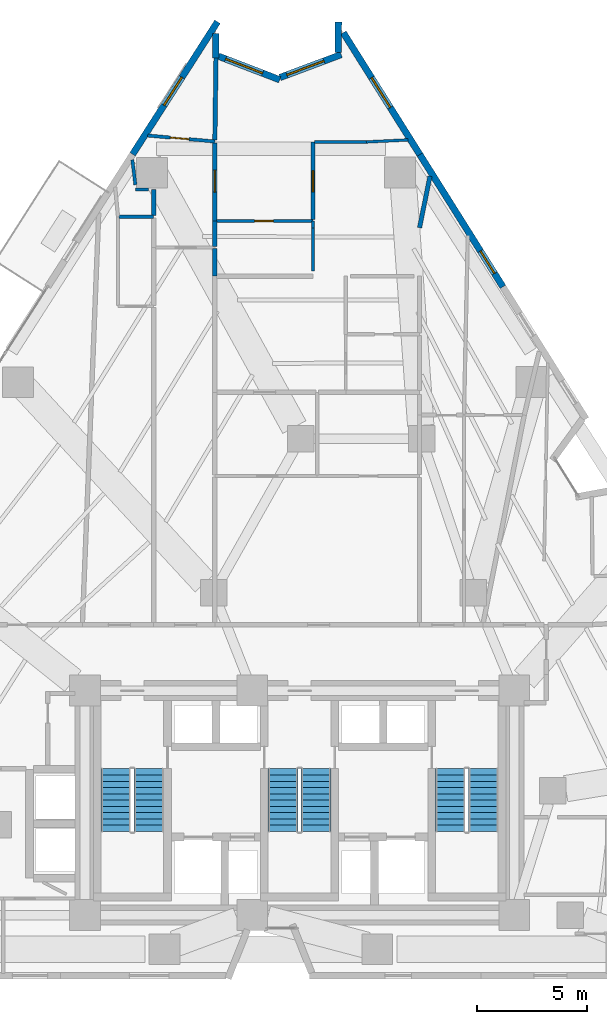
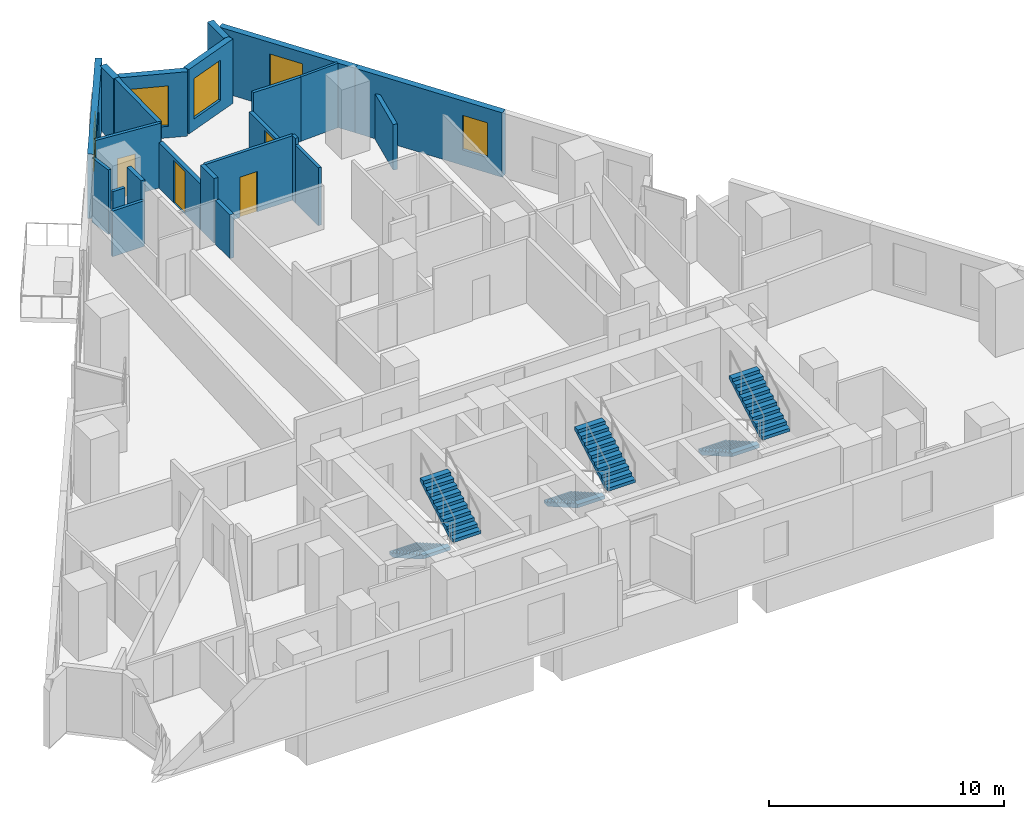
# One storey, part 11 of 13: 23 walls, 6 stair flights, 5 windows, 4 doors, 9 openings, 3 elements without a shape of their own.
"""IFC4 building model written with IfcOpenShell, lengths in metres."""

from ifc_helpers import new_model, si_unit, direction, frame, frame_2d, origin, place, context, subcontext, project, spatial, polyline, rectangle, outline, extrude, material, layer, layer_set, type_object, element, fill, aggregate, save


model = new_model("IFC4")

# Units and contexts
model_context = context("Model", 3, precision=1e-05, world=origin(), true_north=direction((0.0, 1.0)))
body_context = subcontext(model_context, "Body", "Model", "MODEL_VIEW")
ifc_project = project(units=[si_unit("LENGTHUNIT", "METRE"), si_unit("AREAUNIT", "SQUARE_METRE"), si_unit("VOLUMEUNIT", "CUBIC_METRE"), si_unit("PLANEANGLEUNIT", "RADIAN"), si_unit("MASSUNIT", "GRAM", prefix="KILO")], contexts=[model_context])

# Site, building, storey
site_placement = place(None, origin())
site = spatial("IfcSite", under=ifc_project, at=site_placement, CompositionType="ELEMENT")
building_placement = place(site_placement, origin())
building = spatial("IfcBuilding", under=site, at=building_placement, Name="Almagre Mirador Tower", CompositionType="ELEMENT")
storey_placement = place(building_placement, frame((0.0, 0.0, 53.39990234375)))
storey = spatial("IfcBuildingStorey", under=building, at=storey_placement, Name="L12", CompositionType="ELEMENT", Elevation=53.39990234375)

# Wall, opening, window
ifc_material_1 = material(Name="Precast concrete C50/60", Category="concrete")
ifc_layer_1 = layer(ifc_material_1, 0.300048828125)
ifc_layer_set_1 = layer_set([ifc_layer_1], Name="Precast concrete C50/60")
wall_type_1 = type_object("IfcWallType", Name="WAL-EXT-300", PredefinedType="SOLIDWALL", material=ifc_layer_set_1)
wall_1_placement = place(storey_placement, frame((29.71337890625, 39.12060546875, 0.0), z_axis=(0.0, 0.0, 1.0), x_axis=(0.539533296006, 0.841964264385, 0.0)))
wall_1 = element("IfcWall", 1, at=wall_1_placement, inside=storey, type_object=wall_type_1, Name="L12 expressed almagre precast frame wall 04", PredefinedType="SOLIDWALL", context=body_context, shape_type="SweptSolid", body=[
    extrude(rectangle(XDim=7.149169921875, YDim=0.300048828125, at=frame_2d((3.57470703125, 0.0))), origin(), (0.0, 0.0, 1.0), 3.35009765625),
])
opening_1_placement = place(wall_1_placement, frame((2.64990234375, 0.0, 0.60009765625)))
opening_1 = element("IfcOpeningElement", 2, at=opening_1_placement, cuts=wall_1, Name="Opening WN-03", PredefinedType="OPENING", context=body_context, shape_type="SweptSolid", body=[
    extrude(rectangle(XDim=1.5, YDim=2.10009765625, at=frame_2d((0.75, 1.050048828125))), frame((0.0, 0.159902, 0.0), z_axis=(0.0, -1.0, 0.0), x_axis=(1.0, 0.0, 0.0)), (0.0, 0.0, 1.0), 0.320049),
])
ifc_material_2 = material(Name="Dark solar-control laminated hurricane glass", Category="glass")
window_type_1 = type_object("IfcWindowType", Name="WIN-1500X2100", PartitioningType="DOUBLE_PANEL_VERTICAL", PredefinedType="WINDOW", material=ifc_material_2)
window_1_placement = place(opening_1_placement, origin())
window_1 = element("IfcWindow", 3, at=window_1_placement, inside=storey, type_object=window_type_1, Name="L12 recessed hurricane window L12-UL-BT", OverallHeight=2.10009765625, OverallWidth=1.5, PartitioningType="SINGLE_PANEL", PredefinedType="WINDOW", context=body_context, shape_type="SweptSolid", body=[
    extrude(rectangle(XDim=1.5, YDim=2.10009765625, at=frame_2d((0.75, 1.050048828125))), frame((0.0, 0.030029296875, 0.0), z_axis=(0.0, -1.0, 0.0), x_axis=(1.0, 0.0, 0.0)), (0.0, 0.0, 1.0), 0.06005859375),
])
fill(opening_1, window_1)

# Wall
wall_2_placement = place(storey_placement, frame((33.492919921875, 44.612060546875, 0.0), z_axis=(0.0, 0.0, 1.0), x_axis=(-0.004991257271, -0.999987543598, 0.0)))
element("IfcWall", 4, at=wall_2_placement, inside=storey, type_object=wall_type_1, Name="L12 expressed almagre precast frame wall 05", PredefinedType="SOLIDWALL", context=body_context, shape_type="SweptSolid", body=[
    extrude(rectangle(XDim=1.125, YDim=0.300048828125, at=frame_2d((0.5625, 0.0))), origin(), (0.0, 0.0, 1.0), 3.35009765625),
])

# Wall, opening, window
wall_3_placement = place(storey_placement, frame((33.614013671875, 43.57861328125, 0.0), z_axis=(0.0, 0.0, 1.0), x_axis=(0.933166321884, -0.359444871576, 0.0)))
wall_3 = element("IfcWall", 5, at=wall_3_placement, inside=storey, type_object=wall_type_1, Name="L12 expressed almagre precast frame wall 06", PredefinedType="SOLIDWALL", context=body_context, shape_type="SweptSolid", body=[
    extrude(rectangle(XDim=2.985107421875, YDim=0.300048828125, at=frame_2d((1.49267578125, 0.0))), origin(), (0.0, 0.0, 1.0), 3.35009765625),
])
opening_2_placement = place(wall_3_placement, frame((0.35009765625, 0.0, 0.60009765625)))
opening_2 = element("IfcOpeningElement", 6, at=opening_2_placement, cuts=wall_3, Name="Opening WN-01", PredefinedType="OPENING", context=body_context, shape_type="SweptSolid", body=[
    extrude(rectangle(XDim=1.800048828125, YDim=2.10009765625, at=frame_2d((0.89990234375, 1.050048828125))), frame((0.0, 0.159902, 0.0), z_axis=(0.0, -1.0, 0.0), x_axis=(1.0, 0.0, 0.0)), (0.0, 0.0, 1.0), 0.320049),
])
ifc_material_3 = material(Name="Dark solar-control laminated hurricane glass", Category="glass")
window_type_2 = type_object("IfcWindowType", Name="WIN-1800X2100", PartitioningType="DOUBLE_PANEL_VERTICAL", PredefinedType="WINDOW", material=ifc_material_3)
window_2_placement = place(opening_2_placement, origin())
window_2 = element("IfcWindow", 7, at=window_2_placement, inside=storey, type_object=window_type_2, Name="L12 recessed hurricane window L12-UP-ST", OverallHeight=2.10009765625, OverallWidth=1.800048828125, PartitioningType="SINGLE_PANEL", PredefinedType="WINDOW", context=body_context, shape_type="SweptSolid", body=[
    extrude(rectangle(XDim=1.800048828125, YDim=2.10009765625, at=frame_2d((0.89990234375, 1.050048828125))), frame((0.0, 0.030029296875, 0.0), z_axis=(0.0, -1.0, 0.0), x_axis=(1.0, 0.0, 0.0)), (0.0, 0.0, 1.0), 0.06005859375),
])
fill(opening_2, window_2)

wall_4_placement = place(storey_placement, frame((36.409423828125, 42.608642578125, 0.0), z_axis=(0.0, 0.0, 1.0), x_axis=(0.936403459864, 0.350925291699, 0.0)))
wall_4 = element("IfcWall", 8, at=wall_4_placement, inside=storey, type_object=wall_type_1, Name="L12 expressed almagre precast frame wall 07", PredefinedType="SOLIDWALL", context=body_context, shape_type="SweptSolid", body=[
    extrude(rectangle(XDim=2.970703125, YDim=0.300048828125, at=frame_2d((1.4853515625, 0.0))), origin(), (0.0, 0.0, 1.0), 3.35009765625),
])
opening_3_placement = place(wall_4_placement, frame((0.3349609375, 0.0, 0.60009765625)))
opening_3 = element("IfcOpeningElement", 9, at=opening_3_placement, cuts=wall_4, Name="Opening WN-01", PredefinedType="OPENING", context=body_context, shape_type="SweptSolid", body=[
    extrude(rectangle(XDim=1.800048828125, YDim=2.10009765625, at=frame_2d((0.89990234375, 1.050048828125))), frame((0.0, 0.159902, 0.0), z_axis=(0.0, -1.0, 0.0), x_axis=(1.0, 0.0, 0.0)), (0.0, 0.0, 1.0), 0.320049),
])
window_3_placement = place(opening_3_placement, origin())
window_3 = element("IfcWindow", 10, at=window_3_placement, inside=storey, type_object=window_type_2, Name="L12 recessed hurricane window L12-UP-ST", OverallHeight=2.10009765625, OverallWidth=1.800048828125, PartitioningType="SINGLE_PANEL", PredefinedType="WINDOW", context=body_context, shape_type="SweptSolid", body=[
    extrude(rectangle(XDim=1.800048828125, YDim=2.10009765625, at=frame_2d((0.89990234375, 1.050048828125))), frame((0.0, 0.030029296875, 0.0), z_axis=(0.0, -1.0, 0.0), x_axis=(1.0, 0.0, 0.0)), (0.0, 0.0, 1.0), 0.06005859375),
])
fill(opening_3, window_3)

# Wall
wall_5_placement = place(storey_placement, frame((39.060546875, 43.737060546875, 0.0), z_axis=(0.0, 0.0, 1.0), x_axis=(0.004359916705, 0.999990495518, 0.0)))
element("IfcWall", 11, at=wall_5_placement, inside=storey, type_object=wall_type_1, Name="L12 expressed almagre precast frame wall 08", PredefinedType="SOLIDWALL", context=body_context, shape_type="SweptSolid", body=[
    extrude(rectangle(XDim=1.39990234375, YDim=0.300048828125, at=frame_2d((0.699951171875, 0.0))), origin(), (0.0, 0.0, 1.0), 3.35009765625),
])

# Wall, opening, window
wall_6_placement = place(storey_placement, frame((39.28662109375, 44.6455078125, 0.0), z_axis=(0.0, 0.0, 1.0), x_axis=(0.531900124003, -0.846807096147, 0.0)))
wall_6 = element("IfcWall", 12, at=wall_6_placement, inside=storey, type_object=wall_type_1, Name="L12 expressed almagre precast frame wall 09", PredefinedType="SOLIDWALL", context=body_context, shape_type="SweptSolid", body=[
    extrude(rectangle(XDim=6.540283203125, YDim=0.300048828125, at=frame_2d((3.27001953125, 0.0))), origin(), (0.0, 0.0, 1.0), 3.35009765625),
])
opening_4_placement = place(wall_6_placement, frame((2.419921875, 0.0, 0.550048828125)))
opening_4 = element("IfcOpeningElement", 13, at=opening_4_placement, cuts=wall_6, Name="Opening WN-06", PredefinedType="OPENING", context=body_context, shape_type="SweptSolid", body=[
    extrude(rectangle(XDim=1.60009765625, YDim=2.199951171875, at=frame_2d((0.800048828125, 1.10009765625))), frame((0.0, 0.159902, 0.0), z_axis=(0.0, -1.0, 0.0), x_axis=(1.0, 0.0, 0.0)), (0.0, 0.0, 1.0), 0.320049),
])
ifc_material_4 = material(Name="Dark solar-control laminated hurricane glass", Category="glass")
window_type_3 = type_object("IfcWindowType", Name="WIN-1600X2200", PartitioningType="DOUBLE_PANEL_VERTICAL", PredefinedType="WINDOW", material=ifc_material_4)
window_4_placement = place(opening_4_placement, origin())
window_4 = element("IfcWindow", 14, at=window_4_placement, inside=storey, type_object=window_type_3, Name="L12 recessed hurricane window L12-UP-ST", OverallHeight=2.199951171875, OverallWidth=1.60009765625, PartitioningType="SINGLE_PANEL", PredefinedType="WINDOW", context=body_context, shape_type="SweptSolid", body=[
    extrude(rectangle(XDim=1.60009765625, YDim=2.199951171875, at=frame_2d((0.800048828125, 1.10009765625))), frame((0.0, 0.030029296875, 0.0), z_axis=(0.0, -1.0, 0.0), x_axis=(1.0, 0.0, 0.0)), (0.0, 0.0, 1.0), 0.06005859375),
])
fill(opening_4, window_4)

wall_7_placement = place(storey_placement, frame((42.765380859375, 39.107177734375, 0.0), z_axis=(0.0, 0.0, 1.0), x_axis=(0.531921360547, -0.846793756586, 0.0)))
wall_7 = element("IfcWall", 15, at=wall_7_placement, inside=storey, type_object=wall_type_1, Name="L12 expressed almagre precast frame wall 10", PredefinedType="SOLIDWALL", context=body_context, shape_type="SweptSolid", body=[
    extrude(rectangle(XDim=7.095458984375, YDim=0.300048828125, at=frame_2d((3.5478515625, 0.0))), origin(), (0.0, 0.0, 1.0), 3.35009765625),
])
opening_5_placement = place(wall_7_placement, frame((5.175048828125, 0.0, 0.800048828125)))
opening_5 = element("IfcOpeningElement", 16, at=opening_5_placement, cuts=wall_7, Name="Opening WN-04", PredefinedType="OPENING", context=body_context, shape_type="SweptSolid", body=[
    extrude(rectangle(XDim=1.199951171875, YDim=1.800048828125, at=frame_2d((0.60009765625, 0.89990234375))), frame((0.0, 0.159902, 0.0), z_axis=(0.0, -1.0, 0.0), x_axis=(1.0, 0.0, 0.0)), (0.0, 0.0, 1.0), 0.320049),
])
ifc_material_5 = material(Name="Dark solar-control laminated hurricane glass", Category="glass")
window_type_4 = type_object("IfcWindowType", Name="WIN-1200X1800", PartitioningType="SINGLE_PANEL", PredefinedType="WINDOW", material=ifc_material_5)
window_5_placement = place(opening_5_placement, origin())
window_5 = element("IfcWindow", 17, at=window_5_placement, inside=storey, type_object=window_type_4, Name="L12 recessed hurricane window L12-UN-BT", OverallHeight=1.800048828125, OverallWidth=1.199951171875, PartitioningType="SINGLE_PANEL", PredefinedType="WINDOW", context=body_context, shape_type="SweptSolid", body=[
    extrude(rectangle(XDim=1.199951171875, YDim=1.800048828125, at=frame_2d((0.60009765625, 0.89990234375))), frame((0.0, 0.030029296875, 0.0), z_axis=(0.0, -1.0, 0.0), x_axis=(1.0, 0.0, 0.0)), (0.0, 0.0, 1.0), 0.06005859375),
])
fill(opening_5, window_5)

# Walls
ifc_material_6 = material(Name="Gypsum acoustic stud partition", Category="other")
ifc_layer_2 = layer(ifc_material_6, 0.125)
ifc_layer_set_2 = layer_set([ifc_layer_2], Name="Gypsum acoustic stud partition")
wall_type_2 = type_object("IfcWallType", Name="WAL-PRT-125-UTL", PredefinedType="PARTITIONING", material=ifc_layer_set_2)
wall_8_placement = place(storey_placement, frame((40.330078125, 39.679931640625, 0.0), z_axis=(0.0, 0.0, 1.0), x_axis=(0.998842315683, 0.048104349096, 0.0)))
element("IfcWall", 18, at=wall_8_placement, inside=storey, type_object=wall_type_2, Name="L12 interior partition 098", PredefinedType="PARTITIONING", context=body_context, shape_type="SweptSolid", body=[
    extrude(rectangle(XDim=1.89306640625, YDim=0.125, at=frame_2d((0.946533203125, 0.0))), origin(), (0.0, 0.0, 1.0), 3.35009765625),
])
ifc_material_7 = material(Name="Gypsum acoustic stud partition", Category="other")
ifc_layer_3 = layer(ifc_material_7, 0.14990234375)
ifc_layer_set_3 = layer_set([ifc_layer_3], Name="Gypsum acoustic stud partition")
wall_type_3 = type_object("IfcWallType", Name="WAL-PRT-150-STD", PredefinedType="PARTITIONING", material=ifc_layer_set_3)
wall_9_placement = place(storey_placement, frame((30.669921875, 36.280029296875, 0.0), z_axis=(0.0, 0.0, 1.0), x_axis=(-1.0, 0.0, 0.0)))
element("IfcWall", 19, at=wall_9_placement, inside=storey, type_object=wall_type_3, Name="L12 interior partition 075", PredefinedType="PARTITIONING", context=body_context, shape_type="SweptSolid", body=[
    extrude(rectangle(XDim=1.572509765625, YDim=0.14990234375, at=frame_2d((0.7861328125, 0.0))), origin(), (0.0, 0.0, 1.0), 2.3701171875),
])

# Wall, opening, door
wall_10_placement = place(storey_placement, frame((33.449951171875, 39.699951171875, 0.0), z_axis=(0.0, 0.0, 1.0), x_axis=(-0.996078574379, 0.088473010928, 0.0)))
wall_10 = element("IfcWall", 20, at=wall_10_placement, inside=storey, type_object=wall_type_3, Name="L12 interior partition 082", PredefinedType="PARTITIONING", context=body_context, shape_type="SweptSolid", body=[
    extrude(rectangle(XDim=3.06298828125, YDim=0.14990234375, at=frame_2d((1.531494140625, 0.0))), origin(), (0.0, 0.0, 1.0), 3.35009765625),
])
opening_6_placement = place(wall_10_placement, frame((1.177978515625, 0.0, 0.0)))
opening_6 = element("IfcOpeningElement", 21, at=opening_6_placement, cuts=wall_10, Name="Opening UD-04", PredefinedType="OPENING", context=body_context, shape_type="SweptSolid", body=[
    extrude(rectangle(XDim=0.85009765625, YDim=2.10009765625, at=frame_2d((0.425048828125, 1.050048828125))), frame((0.0, 0.084951, 0.0), z_axis=(0.0, -1.0, 0.0), x_axis=(1.0, 0.0, 0.0)), (0.0, 0.0, 1.0), 0.169902),
])
ifc_material_8 = material(Name="Moisture-resistant oak timber", Category="wood")
door_type_1 = type_object("IfcDoorType", Name="DOR-UNR-850X2100", OperationType="NOTDEFINED", PredefinedType="DOOR", material=ifc_material_8)
door_1_placement = place(opening_6_placement, origin())
door_1 = element("IfcDoor", 22, at=door_1_placement, inside=storey, type_object=door_type_1, Name="DR-0401 L12 interior door L12-UL-KT to L12-UL-BT", OperationType="SINGLE_SWING_RIGHT", OverallHeight=2.10009765625, OverallWidth=0.85009765625, PredefinedType="DOOR", context=body_context, shape_type="SweptSolid", body=[
    extrude(rectangle(XDim=0.85009765625, YDim=2.10009765625, at=frame_2d((0.425048828125, 1.050048828125))), frame((0.0, 0.02490234375, 0.0), z_axis=(0.0, -1.0, 0.0), x_axis=(1.0, 0.0, 0.0)), (0.0, 0.0, 1.0), 0.050048828125),
])
fill(opening_6, door_1)

wall_11_placement = place(storey_placement, frame((33.534912109375, 36.090087890625, 0.0), z_axis=(0.0, 0.0, 1.0), x_axis=(1.0, 0.0, 0.0)))
wall_11 = element("IfcWall", 23, at=wall_11_placement, inside=storey, type_object=wall_type_3, Name="L12 interior partition 097", PredefinedType="PARTITIONING", context=body_context, shape_type="SweptSolid", body=[
    extrude(rectangle(XDim=4.375, YDim=0.14990234375, at=frame_2d((2.1875, 0.0))), origin(), (0.0, 0.0, 1.0), 3.35009765625),
])
opening_7_placement = place(wall_11_placement, frame((1.719970703125, 0.0, 0.0)))
opening_7 = element("IfcOpeningElement", 24, at=opening_7_placement, cuts=wall_11, Name="Opening UD-04", PredefinedType="OPENING", context=body_context, shape_type="SweptSolid", body=[
    extrude(rectangle(XDim=0.85009765625, YDim=2.10009765625, at=frame_2d((0.425048828125, 1.050048828125))), frame((0.0, 0.084951, 0.0), z_axis=(0.0, -1.0, 0.0), x_axis=(1.0, 0.0, 0.0)), (0.0, 0.0, 1.0), 0.169902),
])
door_2_placement = place(opening_7_placement, origin())
door_2 = element("IfcDoor", 25, at=door_2_placement, inside=storey, type_object=door_type_1, Name="DR-0409 L12 interior door L12-UP-ST to L12-UP-HB", OperationType="SINGLE_SWING_LEFT", OverallHeight=2.10009765625, OverallWidth=0.85009765625, PredefinedType="DOOR", context=body_context, shape_type="SweptSolid", body=[
    extrude(rectangle(XDim=0.85009765625, YDim=2.10009765625, at=frame_2d((0.425048828125, 1.050048828125))), frame((0.0, 0.02490234375, 0.0), z_axis=(0.0, -1.0, 0.0), x_axis=(1.0, 0.0, 0.0)), (0.0, 0.0, 1.0), 0.050048828125),
])
fill(opening_7, door_2)

# Walls
wall_12_placement = place(storey_placement, frame((37.982421875, 39.679931640625, 0.0), z_axis=(0.0, 0.0, 1.0), x_axis=(1.0, 0.0, 0.0)))
element("IfcWall", 26, at=wall_12_placement, inside=storey, type_object=wall_type_3, Name="L12 interior partition 100", PredefinedType="PARTITIONING", context=body_context, shape_type="SweptSolid", body=[
    extrude(rectangle(XDim=2.34765625, YDim=0.14990234375, at=frame_2d((1.173828125, 0.0))), origin(), (0.0, 0.0, 1.0), 3.35009765625),
])
wall_13_placement = place(storey_placement, frame((37.909912109375, 35.780029296875, 0.0), z_axis=(0.0, 0.0, 1.0), x_axis=(0.0, 1.0, 0.0)))
element("IfcWall", 27, at=wall_13_placement, inside=storey, type_object=wall_type_3, Name="L12 interior partition 101", PredefinedType="PARTITIONING", context=body_context, shape_type="SweptSolid", body=[
    extrude(rectangle(XDim=0.31005859375, YDim=0.14990234375, at=frame_2d((0.155029296875, 0.0))), origin(), (0.0, 0.0, 1.0), 3.35009765625),
])
wall_14_placement = place(storey_placement, frame((30.429931640625, 37.52001953125, 0.0), z_axis=(0.0, 0.0, 1.0), x_axis=(-1.0, 0.0, 0.0)))
element("IfcWall", 28, at=wall_14_placement, inside=storey, type_object=wall_type_3, Name="L12 interior partition 113", PredefinedType="PARTITIONING", context=body_context, shape_type="SweptSolid", body=[
    extrude(rectangle(XDim=0.58984375, YDim=0.14990234375, at=frame_2d((0.294921875, 0.0))), origin(), (0.0, 0.0, 1.0), 2.3701171875),
])
wall_15_placement = place(storey_placement, frame((29.840087890625, 37.735107421875, 0.0), z_axis=(0.0, 0.0, 1.0), x_axis=(-0.122536955902, 0.992463951203, 0.0)))
element("IfcWall", 29, at=wall_15_placement, inside=storey, type_object=wall_type_3, Name="L12 interior partition 114", PredefinedType="PARTITIONING", context=body_context, shape_type="SweptSolid", body=[
    extrude(rectangle(XDim=1.1435546875, YDim=0.14990234375, at=frame_2d((0.57177734375, 0.0))), origin(), (0.0, 0.0, 1.0), 3.35009765625),
])
wall_16_placement = place(storey_placement, frame((37.909912109375, 33.820068359375, 0.0), z_axis=(0.0, 0.0, 1.0), x_axis=(0.0, 1.0, 0.0)))
element("IfcWall", 30, at=wall_16_placement, inside=storey, type_object=wall_type_3, Name="L12 interior partition 117", PredefinedType="PARTITIONING", context=body_context, shape_type="SweptSolid", body=[
    extrude(rectangle(XDim=1.9599609375, YDim=0.14990234375, at=frame_2d((0.97998046875, 0.0))), origin(), (0.0, 0.0, 1.0), 3.010009765625),
])

# Wall, opening, door
ifc_material_9 = material(Name="Gypsum acoustic stud partition", Category="other")
ifc_layer_4 = layer(ifc_material_9, 0.175048828125)
ifc_layer_set_4 = layer_set([ifc_layer_4], Name="Gypsum acoustic stud partition")
wall_type_4 = type_object("IfcWallType", Name="WAL-PRT-175-AC", PredefinedType="PARTITIONING", material=ifc_layer_set_4)
wall_17_placement = place(storey_placement, frame((37.909912109375, 36.14990234375, 0.0), z_axis=(0.0, 0.0, 1.0), x_axis=(0.0, 1.0, 0.0)))
wall_17 = element("IfcWall", 31, at=wall_17_placement, inside=storey, type_object=wall_type_4, Name="L12 interior partition 099", PredefinedType="PARTITIONING", context=body_context, shape_type="SweptSolid", body=[
    extrude(rectangle(XDim=3.530029296875, YDim=0.175048828125, at=frame_2d((1.76513671875, 0.0))), origin(), (0.0, 0.0, 1.0), 2.3701171875),
])
opening_8_placement = place(wall_17_placement, frame((1.260009765625, 0.0, 0.0)))
opening_8 = element("IfcOpeningElement", 32, at=opening_8_placement, cuts=wall_17, Name="Opening UD-01", PredefinedType="OPENING", context=body_context, shape_type="SweptSolid", body=[
    extrude(rectangle(XDim=0.949951171875, YDim=2.199951171875, at=frame_2d((0.47509765625, 1.10009765625))), frame((0.0, 0.097402, 0.0), z_axis=(0.0, -1.0, 0.0), x_axis=(1.0, 0.0, 0.0)), (0.0, 0.0, 1.0), 0.195049),
])
ifc_material_10 = material(Name="Solid American walnut timber", Category="wood")
door_type_2 = type_object("IfcDoorType", Name="DOR-UNR-950X2200", OperationType="NOTDEFINED", PredefinedType="DOOR", material=ifc_material_10)
door_3_placement = place(opening_8_placement, origin())
door_3 = element("IfcDoor", 33, at=door_3_placement, inside=storey, type_object=door_type_2, Name="DR-0408 L12 interior door L12-UP-ST to L12-UP-ST1", OperationType="SINGLE_SWING_RIGHT", OverallHeight=2.199951171875, OverallWidth=0.949951171875, PredefinedType="DOOR", context=body_context, shape_type="SweptSolid", body=[
    extrude(rectangle(XDim=0.949951171875, YDim=2.199951171875, at=frame_2d((0.47509765625, 1.10009765625))), frame((0.0, 0.02490234375, 0.0), z_axis=(0.0, -1.0, 0.0), x_axis=(1.0, 0.0, 0.0)), (0.0, 0.0, 1.0), 0.050048828125),
])
fill(opening_8, door_3)

# Walls
ifc_material_11 = material(Name="Gypsum acoustic stud partition", Category="other")
ifc_layer_5 = layer(ifc_material_11, 0.199951171875)
ifc_layer_set_5 = layer_set([ifc_layer_5], Name="Gypsum acoustic stud partition")
wall_type_5 = type_object("IfcWallType", Name="WAL-PRT-200-EI60", PredefinedType="PARTITIONING", material=ifc_layer_set_5)
wall_18_placement = place(storey_placement, frame((30.669921875, 36.340087890625, 0.0), z_axis=(0.0, 0.0, 1.0), x_axis=(0.0, 1.0, 0.0)))
element("IfcWall", 34, at=wall_18_placement, inside=storey, type_object=wall_type_5, Name="L12 interior partition 078", PredefinedType="PARTITIONING", context=body_context, shape_type="SweptSolid", body=[
    extrude(rectangle(XDim=1.179931640625, YDim=0.199951171875, at=frame_2d((0.58984375, 0.0))), origin(), (0.0, 0.0, 1.0), 3.35009765625),
])
wall_19_placement = place(storey_placement, frame((33.449951171875, 33.580078125, 0.0), z_axis=(0.0, 0.0, 1.0), x_axis=(0.0, 1.0, 0.0)))
element("IfcWall", 35, at=wall_19_placement, inside=storey, type_object=wall_type_5, Name="L12 interior partition 081", PredefinedType="PARTITIONING", context=body_context, shape_type="SweptSolid", body=[
    extrude(rectangle(XDim=1.25244140625, YDim=0.199951171875, at=frame_2d((0.626220703125, 0.0))), origin(), (0.0, 0.0, 1.0), 2.279052734375),
])

# Wall, opening, door
wall_20_placement = place(storey_placement, frame((33.449951171875, 36.090087890625, 0.0), z_axis=(0.0, 0.0, 1.0), x_axis=(0.0, 1.0, 0.0)))
wall_20 = element("IfcWall", 36, at=wall_20_placement, inside=storey, type_object=wall_type_5, Name="L12 interior partition 083", PredefinedType="PARTITIONING", context=body_context, shape_type="SweptSolid", body=[
    extrude(rectangle(XDim=3.5498046875, YDim=0.199951171875, at=frame_2d((1.77490234375, 0.0))), origin(), (0.0, 0.0, 1.0), 2.3701171875),
])
opening_9_placement = place(wall_20_placement, frame((1.304931640625, 0.0, 0.0)))
opening_9 = element("IfcOpeningElement", 37, at=opening_9_placement, cuts=wall_20, Name="Opening ID-01", PredefinedType="OPENING", context=body_context, shape_type="SweptSolid", body=[
    extrude(rectangle(XDim=1.0, YDim=2.199951171875, at=frame_2d((0.5, 1.10009765625))), frame((0.0, 0.110098, 0.0), z_axis=(0.0, -1.0, 0.0), x_axis=(1.0, 0.0, 0.0)), (0.0, 0.0, 1.0), 0.219951),
])
ifc_material_12 = material(Name="Fire-rated walnut timber", Category="wood")
door_type_3 = type_object("IfcDoorType", Name="DOR-FD60-1000X2200", OperationType="NOTDEFINED", PredefinedType="DOOR", material=ifc_material_12)
door_4_placement = place(opening_9_placement, origin())
door_4 = element("IfcDoor", 38, at=door_4_placement, inside=storey, type_object=door_type_3, Name="DR-0411 L12 interior door L12-UL-KT to L12-UP-ST", OperationType="SINGLE_SWING_LEFT", OverallHeight=2.199951171875, OverallWidth=1.0, PredefinedType="DOOR", context=body_context, shape_type="SweptSolid", body=[
    extrude(rectangle(XDim=1.0, YDim=2.199951171875, at=frame_2d((0.5, 1.10009765625))), frame((0.0, 0.02490234375, 0.0), z_axis=(0.0, -1.0, 0.0), x_axis=(1.0, 0.0, 0.0)), (0.0, 0.0, 1.0), 0.050048828125),
])
fill(opening_9, door_4)

# Walls
wall_21_placement = place(storey_placement, frame((33.449951171875, 34.927490234375, 0.0), z_axis=(0.0, 0.0, 1.0), x_axis=(0.0, 1.0, 0.0)))
element("IfcWall", 39, at=wall_21_placement, inside=storey, type_object=wall_type_5, Name="L12 interior partition 084", PredefinedType="PARTITIONING", context=body_context, shape_type="SweptSolid", body=[
    extrude(rectangle(XDim=1.16259765625, YDim=0.199951171875, at=frame_2d((0.581298828125, 0.0))), origin(), (0.0, 0.0, 1.0), 3.35009765625),
])
wall_22_placement = place(storey_placement, frame((33.45068359375, 39.760009765625, 0.0), z_axis=(0.0, 0.0, 1.0), x_axis=(0.013754757877, 0.999905398843, 0.0)))
element("IfcWall", 40, at=wall_22_placement, inside=storey, type_object=wall_type_5, Name="L12 interior partition 085", PredefinedType="PARTITIONING", context=body_context, shape_type="SweptSolid", body=[
    extrude(rectangle(XDim=3.727294921875, YDim=0.199951171875, at=frame_2d((1.86376953125, 0.0))), origin(), (0.0, 0.0, 1.0), 3.35009765625),
])
wall_23_placement = place(storey_placement, frame((43.22607421875, 38.1259765625, 0.0), z_axis=(0.0, 0.0, 1.0), x_axis=(-0.198880858248, -0.980023675338, 0.0)))
element("IfcWall", 41, at=wall_23_placement, inside=storey, type_object=wall_type_5, Name="L12 interior partition 096", PredefinedType="PARTITIONING", context=body_context, shape_type="SweptSolid", body=[
    extrude(rectangle(XDim=2.393798828125, YDim=0.199951171875, at=frame_2d((1.19677734375, 0.0))), origin(), (0.0, 0.0, 1.0), 2.3701171875),
])

# Stair, stair flights
ifc_material_13 = material(Name="Concrete C45/55", Category="concrete")
stair_type = type_object("IfcStairType", Name="STR-DL-3600", PredefinedType="HALF_TURN_STAIR", material=ifc_material_13)
stair_1_placement = place(storey_placement, origin())
stair_1 = element("IfcStair", 42, at=stair_1_placement, inside=storey, type_object=stair_type, Name="L12 Protected exit stair ST-1", PredefinedType="HALF_TURN_STAIR")
ifc_material_14 = material(Name="Concrete C45/55", Category="concrete")
stair_flight_type = type_object("IfcStairFlightType", Name="FLT-DL-3600", PredefinedType="STRAIGHT", material=ifc_material_14)
stair_flight_1_placement = place(storey_placement, frame((28.949951171875, 11.199951171875, 0.0), z_axis=(0.0, 0.0, 1.0), x_axis=(0.0, -1.0, 0.0)))
stair_flight_1 = element("IfcStairFlight", 43, at=stair_flight_1_placement, type_object=stair_flight_type, Name="ST-1 flight 1", NumberOfRisers=11, NumberOfTreads=10, PredefinedType="STRAIGHT", RiserHeight=0.163636364, TreadLength=0.285, context=body_context, shape_type="SweptSolid", body=[
    extrude(outline(polyline([(0.0, 0.0), (0.0, 0.16357421875), (0.284912109375, 0.16357421875), (0.284912109375, 0.327392578125), (0.570068359375, 0.327392578125), (0.570068359375, 0.490966796875), (0.85498046875, 0.490966796875), (0.85498046875, 0.654541015625), (1.139892578125, 0.654541015625), (1.139892578125, 0.818115234375), (1.425048828125, 0.818115234375), (1.425048828125, 0.98193359375), (1.7099609375, 0.98193359375), (1.7099609375, 1.1455078125), (1.9951171875, 1.1455078125), (1.9951171875, 1.30908203125), (2.280029296875, 1.30908203125), (2.280029296875, 1.47265625), (2.56494140625, 1.47265625), (2.56494140625, 1.636474609375), (2.85009765625, 1.636474609375), (2.85009765625, 1.800048828125), (2.85009765625, 1.463623046875), (0.301025390625, 0.0), (0.0, 0.0)])), frame((0.0, 0.675048828125, 0.0), z_axis=(0.0, -1.0, 0.0), x_axis=(1.0, 0.0, 0.0)), (0.0, 0.0, 1.0), 1.35009765625),
])
stair_flight_2_placement = place(storey_placement, frame((30.449951171875, 8.35009765625, 1.800048828125), z_axis=(0.0, 0.0, 1.0), x_axis=(0.0, 1.0, 0.0)))
stair_flight_2 = element("IfcStairFlight", 44, at=stair_flight_2_placement, type_object=stair_flight_type, Name="ST-1 flight 2", NumberOfRisers=11, NumberOfTreads=10, PredefinedType="STRAIGHT", RiserHeight=0.163636364, TreadLength=0.285, context=body_context, shape_type="SweptSolid", body=[
    extrude(outline(polyline([(0.0, 0.0), (0.0, 0.16357421875), (0.284912109375, 0.16357421875), (0.284912109375, 0.327392578125), (0.570068359375, 0.327392578125), (0.570068359375, 0.490966796875), (0.85498046875, 0.490966796875), (0.85498046875, 0.654541015625), (1.139892578125, 0.654541015625), (1.139892578125, 0.818115234375), (1.425048828125, 0.818115234375), (1.425048828125, 0.98193359375), (1.7099609375, 0.98193359375), (1.7099609375, 1.1455078125), (1.9951171875, 1.1455078125), (1.9951171875, 1.30908203125), (2.280029296875, 1.30908203125), (2.280029296875, 1.47265625), (2.56494140625, 1.47265625), (2.56494140625, 1.636474609375), (2.85009765625, 1.636474609375), (2.85009765625, 1.800048828125), (2.85009765625, 1.463623046875), (0.301025390625, 0.0), (0.0, 0.0)])), frame((0.0, 0.675048828125, 0.0), z_axis=(0.0, -1.0, 0.0), x_axis=(1.0, 0.0, 0.0)), (0.0, 0.0, 1.0), 1.35009765625),
])
aggregate(stair_1, [stair_flight_1, stair_flight_2])

stair_2_placement = place(storey_placement, origin())
stair_2 = element("IfcStair", 45, at=stair_2_placement, inside=storey, type_object=stair_type, Name="L12 Protected exit stair ST-2", PredefinedType="HALF_TURN_STAIR")
stair_flight_3_placement = place(storey_placement, frame((36.550048828125, 11.199951171875, 0.0), z_axis=(0.0, 0.0, 1.0), x_axis=(0.0, -1.0, 0.0)))
stair_flight_3 = element("IfcStairFlight", 46, at=stair_flight_3_placement, type_object=stair_flight_type, Name="ST-2 flight 1", NumberOfRisers=11, NumberOfTreads=10, PredefinedType="STRAIGHT", RiserHeight=0.163636364, TreadLength=0.285, context=body_context, shape_type="SweptSolid", body=[
    extrude(outline(polyline([(0.0, 0.0), (0.0, 0.16357421875), (0.284912109375, 0.16357421875), (0.284912109375, 0.327392578125), (0.570068359375, 0.327392578125), (0.570068359375, 0.490966796875), (0.85498046875, 0.490966796875), (0.85498046875, 0.654541015625), (1.139892578125, 0.654541015625), (1.139892578125, 0.818115234375), (1.425048828125, 0.818115234375), (1.425048828125, 0.98193359375), (1.7099609375, 0.98193359375), (1.7099609375, 1.1455078125), (1.9951171875, 1.1455078125), (1.9951171875, 1.30908203125), (2.280029296875, 1.30908203125), (2.280029296875, 1.47265625), (2.56494140625, 1.47265625), (2.56494140625, 1.636474609375), (2.85009765625, 1.636474609375), (2.85009765625, 1.800048828125), (2.85009765625, 1.463623046875), (0.301025390625, 0.0), (0.0, 0.0)])), frame((0.0, 0.675048828125, 0.0), z_axis=(0.0, -1.0, 0.0), x_axis=(1.0, 0.0, 0.0)), (0.0, 0.0, 1.0), 1.35009765625),
])
stair_flight_4_placement = place(storey_placement, frame((38.050048828125, 8.35009765625, 1.800048828125), z_axis=(0.0, 0.0, 1.0), x_axis=(0.0, 1.0, 0.0)))
stair_flight_4 = element("IfcStairFlight", 47, at=stair_flight_4_placement, type_object=stair_flight_type, Name="ST-2 flight 2", NumberOfRisers=11, NumberOfTreads=10, PredefinedType="STRAIGHT", RiserHeight=0.163636364, TreadLength=0.285, context=body_context, shape_type="SweptSolid", body=[
    extrude(outline(polyline([(0.0, 0.0), (0.0, 0.16357421875), (0.284912109375, 0.16357421875), (0.284912109375, 0.327392578125), (0.570068359375, 0.327392578125), (0.570068359375, 0.490966796875), (0.85498046875, 0.490966796875), (0.85498046875, 0.654541015625), (1.139892578125, 0.654541015625), (1.139892578125, 0.818115234375), (1.425048828125, 0.818115234375), (1.425048828125, 0.98193359375), (1.7099609375, 0.98193359375), (1.7099609375, 1.1455078125), (1.9951171875, 1.1455078125), (1.9951171875, 1.30908203125), (2.280029296875, 1.30908203125), (2.280029296875, 1.47265625), (2.56494140625, 1.47265625), (2.56494140625, 1.636474609375), (2.85009765625, 1.636474609375), (2.85009765625, 1.800048828125), (2.85009765625, 1.463623046875), (0.301025390625, 0.0), (0.0, 0.0)])), frame((0.0, 0.675048828125, 0.0), z_axis=(0.0, -1.0, 0.0), x_axis=(1.0, 0.0, 0.0)), (0.0, 0.0, 1.0), 1.35009765625),
])
aggregate(stair_2, [stair_flight_3, stair_flight_4])

stair_3_placement = place(storey_placement, origin())
stair_3 = element("IfcStair", 48, at=stair_3_placement, inside=storey, type_object=stair_type, Name="L12 Protected exit stair ST-3", PredefinedType="HALF_TURN_STAIR")
stair_flight_5_placement = place(storey_placement, frame((44.14990234375, 11.199951171875, 0.0), z_axis=(0.0, 0.0, 1.0), x_axis=(0.0, -1.0, 0.0)))
stair_flight_5 = element("IfcStairFlight", 49, at=stair_flight_5_placement, type_object=stair_flight_type, Name="ST-3 flight 1", NumberOfRisers=11, NumberOfTreads=10, PredefinedType="STRAIGHT", RiserHeight=0.163636364, TreadLength=0.285, context=body_context, shape_type="SweptSolid", body=[
    extrude(outline(polyline([(0.0, 0.0), (0.0, 0.16357421875), (0.284912109375, 0.16357421875), (0.284912109375, 0.327392578125), (0.570068359375, 0.327392578125), (0.570068359375, 0.490966796875), (0.85498046875, 0.490966796875), (0.85498046875, 0.654541015625), (1.139892578125, 0.654541015625), (1.139892578125, 0.818115234375), (1.425048828125, 0.818115234375), (1.425048828125, 0.98193359375), (1.7099609375, 0.98193359375), (1.7099609375, 1.1455078125), (1.9951171875, 1.1455078125), (1.9951171875, 1.30908203125), (2.280029296875, 1.30908203125), (2.280029296875, 1.47265625), (2.56494140625, 1.47265625), (2.56494140625, 1.636474609375), (2.85009765625, 1.636474609375), (2.85009765625, 1.800048828125), (2.85009765625, 1.463623046875), (0.301025390625, 0.0), (0.0, 0.0)])), frame((0.0, 0.675048828125, 0.0), z_axis=(0.0, -1.0, 0.0), x_axis=(1.0, 0.0, 0.0)), (0.0, 0.0, 1.0), 1.35009765625),
])
stair_flight_6_placement = place(storey_placement, frame((45.64990234375, 8.35009765625, 1.800048828125), z_axis=(0.0, 0.0, 1.0), x_axis=(0.0, 1.0, 0.0)))
stair_flight_6 = element("IfcStairFlight", 50, at=stair_flight_6_placement, type_object=stair_flight_type, Name="ST-3 flight 2", NumberOfRisers=11, NumberOfTreads=10, PredefinedType="STRAIGHT", RiserHeight=0.163636364, TreadLength=0.285, context=body_context, shape_type="SweptSolid", body=[
    extrude(outline(polyline([(0.0, 0.0), (0.0, 0.16357421875), (0.284912109375, 0.16357421875), (0.284912109375, 0.327392578125), (0.570068359375, 0.327392578125), (0.570068359375, 0.490966796875), (0.85498046875, 0.490966796875), (0.85498046875, 0.654541015625), (1.139892578125, 0.654541015625), (1.139892578125, 0.818115234375), (1.425048828125, 0.818115234375), (1.425048828125, 0.98193359375), (1.7099609375, 0.98193359375), (1.7099609375, 1.1455078125), (1.9951171875, 1.1455078125), (1.9951171875, 1.30908203125), (2.280029296875, 1.30908203125), (2.280029296875, 1.47265625), (2.56494140625, 1.47265625), (2.56494140625, 1.636474609375), (2.85009765625, 1.636474609375), (2.85009765625, 1.800048828125), (2.85009765625, 1.463623046875), (0.301025390625, 0.0), (0.0, 0.0)])), frame((0.0, 0.675048828125, 0.0), z_axis=(0.0, -1.0, 0.0), x_axis=(1.0, 0.0, 0.0)), (0.0, 0.0, 1.0), 1.35009765625),
])
aggregate(stair_3, [stair_flight_5, stair_flight_6])

save(model, "model.ifc")
